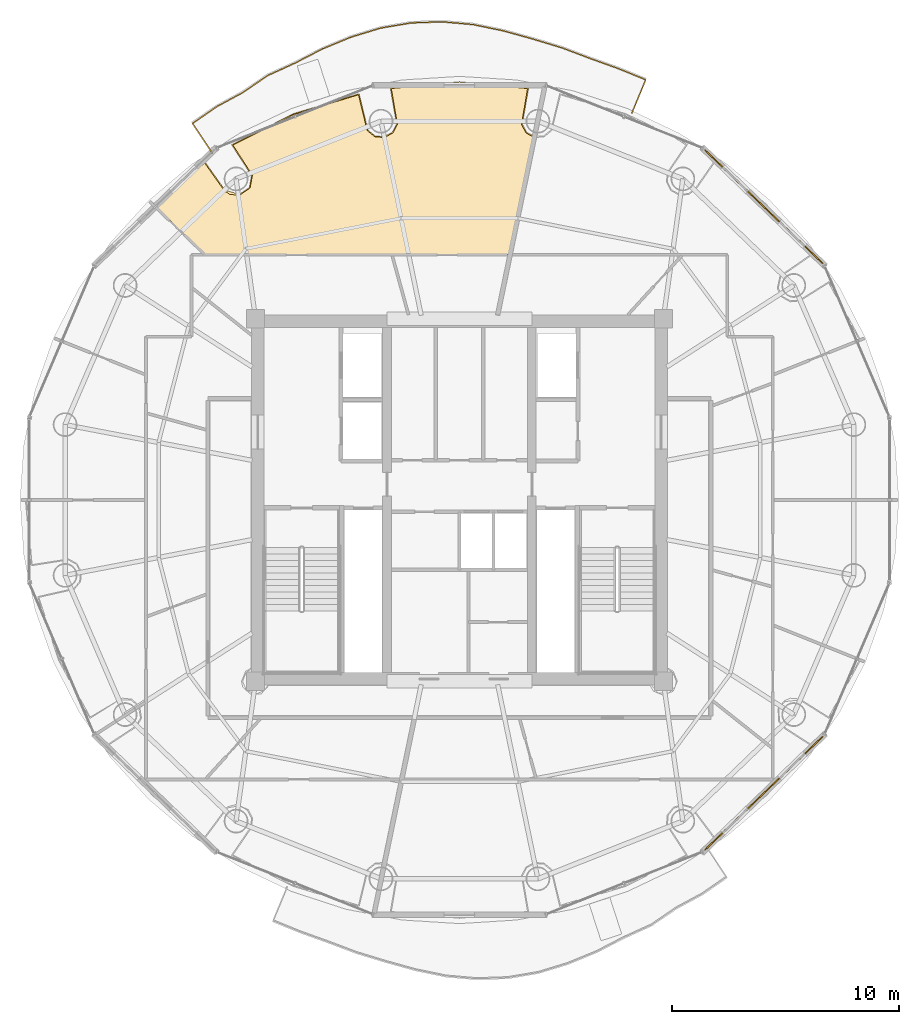
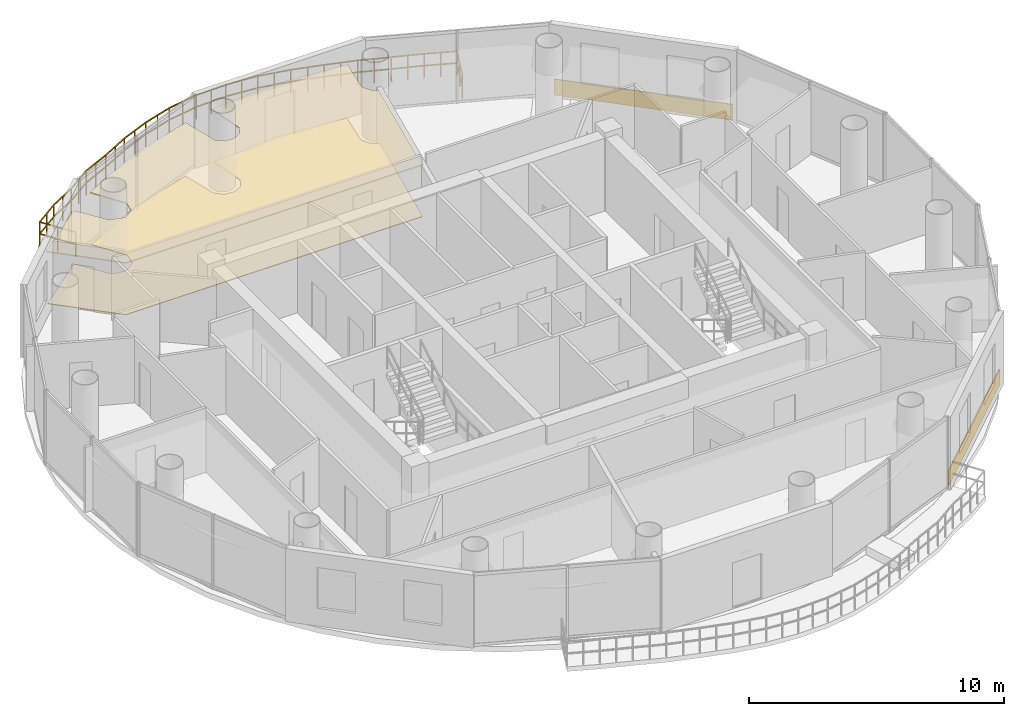
# One storey, part 21 of 21: 4 coverings, 1 railing.
"""IFC4 building model written with IfcOpenShell, lengths in metres."""

from ifc_helpers import new_model, si_unit, direction, frame, origin, origin_2d, place, context, subcontext, project, spatial, polyline, rectangle, outline, extrude, source, transform, mapped, material, layer, layer_set, type_object, element, save


model = new_model("IFC4")

# Units and contexts
model_context = context("Model", 3, precision=1e-05, world=origin(), true_north=direction((-0.2419218956, 0.970295726276)))
body_context = subcontext(model_context, "Body", "Model", "MODEL_VIEW")
ifc_project = project(units=[si_unit("LENGTHUNIT", "METRE"), si_unit("AREAUNIT", "SQUARE_METRE"), si_unit("VOLUMEUNIT", "CUBIC_METRE"), si_unit("PLANEANGLEUNIT", "RADIAN"), si_unit("MASSUNIT", "GRAM", prefix="KILO")], contexts=[model_context])

# Site, building, storey
site_placement = place(None, origin())
site = spatial("IfcSite", under=ifc_project, at=site_placement, CompositionType="ELEMENT")
building_placement = place(site_placement, origin())
building = spatial("IfcBuilding", under=site, at=building_placement, Name="Cobrevalo Terracotta Tower", CompositionType="ELEMENT")
storey_placement = place(building_placement, frame((0.0, 0.0, 281.949951171875)))
storey = spatial("IfcBuildingStorey", under=building, at=storey_placement, Name="L74", CompositionType="ELEMENT", Elevation=281.949951171875)

# Railing
ifc_material_1 = material(Name="Laminated structural glass and stainless steel", Category="steel")
railing_type = type_object("IfcRailingType", Name="Balcony lobe structural glass & terracotta-cap balustrade 1180 mm", PredefinedType="BALUSTRADE", material=ifc_material_1)
railing_placement = place(storey_placement, frame((45.6162109375, 43.885498046875, 0.0)))
element("IfcRailing", 1, at=railing_placement, inside=storey, type_object=railing_type, Name="L74 spiralling balcony lobe balustrade 1", PredefinedType="BALUSTRADE", context=body_context, shape_type="SweptSolid", body=[
    extrude(rectangle(XDim=0.048095703125, YDim=0.048095703125, at=origin_2d()), frame((0.0, 0.0, 1.15576171875), z_axis=(0.38286781202, 0.923803138401, 0.0), x_axis=(-0.923803138401, 0.38286781202, 0.0)), (0.0, 0.0, 1.0), 1.587890625),
    extrude(rectangle(XDim=0.048095703125, YDim=0.048095703125, at=origin_2d()), frame((0.0, 0.0, 0.58984375), z_axis=(0.38286781202, 0.923803138401, 0.0), x_axis=(-0.923803138401, 0.38286781202, 0.0)), (0.0, 0.0, 1.0), 1.587890625),
    extrude(rectangle(XDim=0.048095703125, YDim=0.048095703125, at=origin_2d()), frame((0.60791015625, 1.466796875, 1.15576171875), z_axis=(-0.926232432791, 0.376952888894, 0.0), x_axis=(-0.376952888894, -0.926232432791, 0.0)), (0.0, 0.0, 1.0), 1.3076171875),
    extrude(rectangle(XDim=0.048095703125, YDim=0.048095703125, at=origin_2d()), frame((0.60791015625, 1.466796875, 0.58984375), z_axis=(-0.926232432791, 0.376952888894, 0.0), x_axis=(-0.376952888894, -0.926232432791, 0.0)), (0.0, 0.0, 1.0), 1.3076171875),
    extrude(rectangle(XDim=0.048095703125, YDim=0.048095703125, at=origin_2d()), frame((-0.603271484375, 1.959716796875, 1.15576171875), z_axis=(-0.941008163355, 0.33838385969, 0.0), x_axis=(-0.33838385969, -0.941008163355, 0.0)), (0.0, 0.0, 1.0), 1.313720703125),
    extrude(rectangle(XDim=0.048095703125, YDim=0.048095703125, at=origin_2d()), frame((-0.603271484375, 1.959716796875, 0.58984375), z_axis=(-0.941008163355, 0.33838385969, 0.0), x_axis=(-0.33838385969, -0.941008163355, 0.0)), (0.0, 0.0, 1.0), 1.313720703125),
    extrude(rectangle(XDim=0.048095703125, YDim=0.048095703125, at=origin_2d()), frame((-1.839599609375, 2.404296875, 1.15576171875), z_axis=(-0.935753961781, 0.352653545298, 0.0), x_axis=(-0.352653545298, -0.935753961781, 0.0)), (0.0, 0.0, 1.0), 1.32861328125),
    extrude(rectangle(XDim=0.048095703125, YDim=0.048095703125, at=origin_2d()), frame((-1.839599609375, 2.404296875, 0.58984375), z_axis=(-0.935753961781, 0.352653545298, 0.0), x_axis=(-0.352653545298, -0.935753961781, 0.0)), (0.0, 0.0, 1.0), 1.32861328125),
    extrude(rectangle(XDim=0.048095703125, YDim=0.048095703125, at=origin_2d()), frame((-3.082763671875, 2.872802734375, 1.15576171875), z_axis=(-0.956797347346, 0.290755629544, 0.0), x_axis=(-0.290755629544, -0.956797347346, 0.0)), (0.0, 0.0, 1.0), 1.340087890625),
    extrude(rectangle(XDim=0.048095703125, YDim=0.048095703125, at=origin_2d()), frame((-3.082763671875, 2.872802734375, 0.58984375), z_axis=(-0.956797347346, 0.290755629544, 0.0), x_axis=(-0.290755629544, -0.956797347346, 0.0)), (0.0, 0.0, 1.0), 1.340087890625),
    extrude(rectangle(XDim=0.048095703125, YDim=0.048095703125, at=origin_2d()), frame((-4.364990234375, 3.262451171875, 1.15576171875), z_axis=(-0.963574612955, 0.267439647899, 0.0), x_axis=(-0.267439647899, -0.963574612955, 0.0)), (0.0, 0.0, 1.0), 1.3564453125),
    extrude(rectangle(XDim=0.048095703125, YDim=0.048095703125, at=origin_2d()), frame((-4.364990234375, 3.262451171875, 0.58984375), z_axis=(-0.963574612955, 0.267439647899, 0.0), x_axis=(-0.267439647899, -0.963574612955, 0.0)), (0.0, 0.0, 1.0), 1.3564453125),
    extrude(rectangle(XDim=0.048095703125, YDim=0.048095703125, at=origin_2d()), frame((-5.672119140625, 3.625244140625, 1.15576171875), z_axis=(-0.979165256392, 0.203065015879, 0.0), x_axis=(-0.203065015879, -0.979165256392, 0.0)), (0.0, 0.0, 1.0), 1.37060546875),
    extrude(rectangle(XDim=0.048095703125, YDim=0.048095703125, at=origin_2d()), frame((-5.672119140625, 3.625244140625, 0.58984375), z_axis=(-0.979165256392, 0.203065015879, 0.0), x_axis=(-0.203065015879, -0.979165256392, 0.0)), (0.0, 0.0, 1.0), 1.37060546875),
    extrude(rectangle(XDim=0.048095703125, YDim=0.048095703125, at=origin_2d()), frame((-7.01416015625, 3.903564453125, 1.15576171875), z_axis=(-0.996096717606, 0.088268506125, 0.0), x_axis=(-0.088268506125, -0.996096717606, 0.0)), (0.0, 0.0, 1.0), 1.369140625),
    extrude(rectangle(XDim=0.048095703125, YDim=0.048095703125, at=origin_2d()), frame((-7.01416015625, 3.903564453125, 0.58984375), z_axis=(-0.996096717606, 0.088268506125, 0.0), x_axis=(-0.088268506125, -0.996096717606, 0.0)), (0.0, 0.0, 1.0), 1.369140625),
    extrude(rectangle(XDim=0.048095703125, YDim=0.048095703125, at=origin_2d()), frame((-8.3779296875, 4.0244140625, 1.15576171875), z_axis=(-0.999397299366, -0.034713657531, 0.0), x_axis=(0.034713657531, -0.999397299366, 0.0)), (0.0, 0.0, 1.0), 1.371337890625),
    extrude(rectangle(XDim=0.048095703125, YDim=0.048095703125, at=origin_2d()), frame((-8.3779296875, 4.0244140625, 0.58984375), z_axis=(-0.999397299366, -0.034713657531, 0.0), x_axis=(0.034713657531, -0.999397299366, 0.0)), (0.0, 0.0, 1.0), 1.371337890625),
    extrude(rectangle(XDim=0.048095703125, YDim=0.048095703125, at=origin_2d()), frame((-9.74853515625, 3.976806640625, 1.15576171875), z_axis=(-0.985961463582, -0.166973028752, 0.0), x_axis=(0.166973028752, -0.985961463582, 0.0)), (0.0, 0.0, 1.0), 1.36865234375),
    extrude(rectangle(XDim=0.048095703125, YDim=0.048095703125, at=origin_2d()), frame((-9.74853515625, 3.976806640625, 0.58984375), z_axis=(-0.985961463582, -0.166973028752, 0.0), x_axis=(0.166973028752, -0.985961463582, 0.0)), (0.0, 0.0, 1.0), 1.36865234375),
    extrude(rectangle(XDim=0.048095703125, YDim=0.048095703125, at=origin_2d()), frame((-11.097900390625, 3.748291015625, 1.15576171875), z_axis=(-0.956258921541, -0.292521580356, 0.0), x_axis=(0.292521580356, -0.956258921541, 0.0)), (0.0, 0.0, 1.0), 1.371337890625),
    extrude(rectangle(XDim=0.048095703125, YDim=0.048095703125, at=origin_2d()), frame((-11.097900390625, 3.748291015625, 0.58984375), z_axis=(-0.956258921541, -0.292521580356, 0.0), x_axis=(0.292521580356, -0.956258921541, 0.0)), (0.0, 0.0, 1.0), 1.371337890625),
    extrude(rectangle(XDim=0.048095703125, YDim=0.048095703125, at=origin_2d()), frame((-12.4091796875, 3.34716796875, 1.15576171875), z_axis=(-0.924369923344, -0.381497371967, 0.0), x_axis=(0.381497371967, -0.924369923344, 0.0)), (0.0, 0.0, 1.0), 1.363037109375),
    extrude(rectangle(XDim=0.048095703125, YDim=0.048095703125, at=origin_2d()), frame((-12.4091796875, 3.34716796875, 0.58984375), z_axis=(-0.924369923344, -0.381497371967, 0.0), x_axis=(0.381497371967, -0.924369923344, 0.0)), (0.0, 0.0, 1.0), 1.363037109375),
    extrude(rectangle(XDim=0.048095703125, YDim=0.048095703125, at=origin_2d()), frame((-13.669189453125, 2.8271484375, 1.15576171875), z_axis=(-0.888149244572, -0.459555132021, 0.0), x_axis=(0.459555132021, -0.888149244572, 0.0)), (0.0, 0.0, 1.0), 1.356201171875),
    extrude(rectangle(XDim=0.048095703125, YDim=0.048095703125, at=origin_2d()), frame((-13.669189453125, 2.8271484375, 0.58984375), z_axis=(-0.888149244572, -0.459555132021, 0.0), x_axis=(0.459555132021, -0.888149244572, 0.0)), (0.0, 0.0, 1.0), 1.356201171875),
    extrude(rectangle(XDim=0.048095703125, YDim=0.048095703125, at=origin_2d()), frame((-14.873779296875, 2.203857421875, 1.15576171875), z_axis=(-0.910070017965, -0.414454535987, 0.0), x_axis=(0.414454535987, -0.910070017965, 0.0)), (0.0, 0.0, 1.0), 1.32666015625),
    extrude(rectangle(XDim=0.048095703125, YDim=0.048095703125, at=origin_2d()), frame((-14.873779296875, 2.203857421875, 0.58984375), z_axis=(-0.910070017965, -0.414454535987, 0.0), x_axis=(0.414454535987, -0.910070017965, 0.0)), (0.0, 0.0, 1.0), 1.32666015625),
    extrude(rectangle(XDim=0.048095703125, YDim=0.048095703125, at=origin_2d()), frame((-16.0810546875, 1.654052734375, 1.15576171875), z_axis=(-0.825545149986, -0.564336074813, 0.0), x_axis=(0.564336074813, -0.825545149986, 0.0)), (0.0, 0.0, 1.0), 1.333740234375),
    extrude(rectangle(XDim=0.048095703125, YDim=0.048095703125, at=origin_2d()), frame((-16.0810546875, 1.654052734375, 0.58984375), z_axis=(-0.825545149986, -0.564336074813, 0.0), x_axis=(0.564336074813, -0.825545149986, 0.0)), (0.0, 0.0, 1.0), 1.333740234375),
    extrude(rectangle(XDim=0.048095703125, YDim=0.048095703125, at=origin_2d()), frame((-17.18212890625, 0.9013671875, 1.15576171875), z_axis=(-0.879676899664, -0.475571816024, 0.0), x_axis=(0.475571816024, -0.879676899664, 0.0)), (0.0, 0.0, 1.0), 1.304931640625),
    extrude(rectangle(XDim=0.048095703125, YDim=0.048095703125, at=origin_2d()), frame((-17.18212890625, 0.9013671875, 0.58984375), z_axis=(-0.879676899664, -0.475571816024, 0.0), x_axis=(0.475571816024, -0.879676899664, 0.0)), (0.0, 0.0, 1.0), 1.304931640625),
    extrude(rectangle(XDim=0.048095703125, YDim=0.048095703125, at=origin_2d()), frame((-18.330078125, 0.28076171875, 1.15576171875), z_axis=(-0.821881755695, -0.569658125243, 0.0), x_axis=(0.569658125243, -0.821881755695, 0.0)), (0.0, 0.0, 1.0), 1.302978515625),
    extrude(rectangle(XDim=0.048095703125, YDim=0.048095703125, at=origin_2d()), frame((-18.330078125, 0.28076171875, 0.58984375), z_axis=(-0.821881755695, -0.569658125243, 0.0), x_axis=(0.569658125243, -0.821881755695, 0.0)), (0.0, 0.0, 1.0), 1.302978515625),
    extrude(rectangle(XDim=0.048095703125, YDim=0.048095703125, at=origin_2d()), frame((-19.40087890625, -0.46142578125, 1.15576171875), z_axis=(0.552272983992, -0.833663332019, 0.0), x_axis=(0.833663332019, 0.552272983992, 0.0)), (0.0, 0.0, 1.0), 1.579833984375),
    extrude(rectangle(XDim=0.048095703125, YDim=0.048095703125, at=origin_2d()), frame((-19.40087890625, -0.46142578125, 0.58984375), z_axis=(0.552272983992, -0.833663332019, 0.0), x_axis=(0.833663332019, 0.552272983992, 0.0)), (0.0, 0.0, 1.0), 1.579833984375),
    extrude(rectangle(XDim=0.0419921875, YDim=0.0419921875, at=origin_2d()), origin(), (0.0, 0.0, 1.0), 1.1318359375),
    extrude(rectangle(XDim=0.0419921875, YDim=0.0419921875, at=origin_2d()), frame((0.303955078125, 0.7333984375, 0.0)), (0.0, 0.0, 1.0), 1.1318359375),
    extrude(rectangle(XDim=0.0419921875, YDim=0.0419921875, at=origin_2d()), frame((0.60791015625, 1.466796875, 0.0)), (0.0, 0.0, 1.0), 1.1318359375),
    extrude(rectangle(XDim=0.0419921875, YDim=0.0419921875, at=origin_2d()), frame((0.00244140625, 1.71337890625, 0.0)), (0.0, 0.0, 1.0), 1.1318359375),
    extrude(rectangle(XDim=0.0419921875, YDim=0.0419921875, at=origin_2d()), frame((-0.603271484375, 1.959716796875, 0.0)), (0.0, 0.0, 1.0), 1.1318359375),
    extrude(rectangle(XDim=0.0419921875, YDim=0.0419921875, at=origin_2d()), frame((-1.221435546875, 2.18212890625, 0.0)), (0.0, 0.0, 1.0), 1.1318359375),
    extrude(rectangle(XDim=0.0419921875, YDim=0.0419921875, at=origin_2d()), frame((-1.839599609375, 2.404296875, 0.0)), (0.0, 0.0, 1.0), 1.1318359375),
    extrude(rectangle(XDim=0.0419921875, YDim=0.0419921875, at=origin_2d()), frame((-2.461181640625, 2.638671875, 0.0)), (0.0, 0.0, 1.0), 1.1318359375),
    extrude(rectangle(XDim=0.0419921875, YDim=0.0419921875, at=origin_2d()), frame((-3.082763671875, 2.872802734375, 0.0)), (0.0, 0.0, 1.0), 1.1318359375),
    extrude(rectangle(XDim=0.0419921875, YDim=0.0419921875, at=origin_2d()), frame((-3.723876953125, 3.067626953125, 0.0)), (0.0, 0.0, 1.0), 1.1318359375),
    extrude(rectangle(XDim=0.0419921875, YDim=0.0419921875, at=origin_2d()), frame((-4.364990234375, 3.262451171875, 0.0)), (0.0, 0.0, 1.0), 1.1318359375),
    extrude(rectangle(XDim=0.0419921875, YDim=0.0419921875, at=origin_2d()), frame((-5.0185546875, 3.44384765625, 0.0)), (0.0, 0.0, 1.0), 1.1318359375),
    extrude(rectangle(XDim=0.0419921875, YDim=0.0419921875, at=origin_2d()), frame((-5.672119140625, 3.625244140625, 0.0)), (0.0, 0.0, 1.0), 1.1318359375),
    extrude(rectangle(XDim=0.0419921875, YDim=0.0419921875, at=origin_2d()), frame((-6.34326171875, 3.764404296875, 0.0)), (0.0, 0.0, 1.0), 1.1318359375),
    extrude(rectangle(XDim=0.0419921875, YDim=0.0419921875, at=origin_2d()), frame((-7.01416015625, 3.903564453125, 0.0)), (0.0, 0.0, 1.0), 1.1318359375),
    extrude(rectangle(XDim=0.0419921875, YDim=0.0419921875, at=origin_2d()), frame((-7.696044921875, 3.9638671875, 0.0)), (0.0, 0.0, 1.0), 1.1318359375),
    extrude(rectangle(XDim=0.0419921875, YDim=0.0419921875, at=origin_2d()), frame((-8.3779296875, 4.0244140625, 0.0)), (0.0, 0.0, 1.0), 1.1318359375),
    extrude(rectangle(XDim=0.0419921875, YDim=0.0419921875, at=origin_2d()), frame((-9.063232421875, 4.00048828125, 0.0)), (0.0, 0.0, 1.0), 1.1318359375),
    extrude(rectangle(XDim=0.0419921875, YDim=0.0419921875, at=origin_2d()), frame((-9.74853515625, 3.976806640625, 0.0)), (0.0, 0.0, 1.0), 1.1318359375),
    extrude(rectangle(XDim=0.0419921875, YDim=0.0419921875, at=origin_2d()), frame((-10.42333984375, 3.862548828125, 0.0)), (0.0, 0.0, 1.0), 1.1318359375),
    extrude(rectangle(XDim=0.0419921875, YDim=0.0419921875, at=origin_2d()), frame((-11.097900390625, 3.748291015625, 0.0)), (0.0, 0.0, 1.0), 1.1318359375),
    extrude(rectangle(XDim=0.0419921875, YDim=0.0419921875, at=origin_2d()), frame((-11.75341796875, 3.5478515625, 0.0)), (0.0, 0.0, 1.0), 1.1318359375),
    extrude(rectangle(XDim=0.0419921875, YDim=0.0419921875, at=origin_2d()), frame((-12.4091796875, 3.34716796875, 0.0)), (0.0, 0.0, 1.0), 1.1318359375),
    extrude(rectangle(XDim=0.0419921875, YDim=0.0419921875, at=origin_2d()), frame((-13.0390625, 3.087158203125, 0.0)), (0.0, 0.0, 1.0), 1.1318359375),
    extrude(rectangle(XDim=0.0419921875, YDim=0.0419921875, at=origin_2d()), frame((-13.669189453125, 2.8271484375, 0.0)), (0.0, 0.0, 1.0), 1.1318359375),
    extrude(rectangle(XDim=0.0419921875, YDim=0.0419921875, at=origin_2d()), frame((-14.271484375, 2.515625, 0.0)), (0.0, 0.0, 1.0), 1.1318359375),
    extrude(rectangle(XDim=0.0419921875, YDim=0.0419921875, at=origin_2d()), frame((-14.873779296875, 2.203857421875, 0.0)), (0.0, 0.0, 1.0), 1.1318359375),
    extrude(rectangle(XDim=0.0419921875, YDim=0.0419921875, at=origin_2d()), frame((-15.4775390625, 1.928955078125, 0.0)), (0.0, 0.0, 1.0), 1.1318359375),
    extrude(rectangle(XDim=0.0419921875, YDim=0.0419921875, at=origin_2d()), frame((-16.0810546875, 1.654052734375, 0.0)), (0.0, 0.0, 1.0), 1.1318359375),
    extrude(rectangle(XDim=0.0419921875, YDim=0.0419921875, at=origin_2d()), frame((-16.631591796875, 1.27783203125, 0.0)), (0.0, 0.0, 1.0), 1.1318359375),
    extrude(rectangle(XDim=0.0419921875, YDim=0.0419921875, at=origin_2d()), frame((-17.18212890625, 0.9013671875, 0.0)), (0.0, 0.0, 1.0), 1.1318359375),
    extrude(rectangle(XDim=0.0419921875, YDim=0.0419921875, at=origin_2d()), frame((-17.756103515625, 0.591064453125, 0.0)), (0.0, 0.0, 1.0), 1.1318359375),
    extrude(rectangle(XDim=0.0419921875, YDim=0.0419921875, at=origin_2d()), frame((-18.330078125, 0.28076171875, 0.0)), (0.0, 0.0, 1.0), 1.1318359375),
    extrude(rectangle(XDim=0.0419921875, YDim=0.0419921875, at=origin_2d()), frame((-18.865478515625, -0.09033203125, 0.0)), (0.0, 0.0, 1.0), 1.1318359375),
    extrude(rectangle(XDim=0.0419921875, YDim=0.0419921875, at=origin_2d()), frame((-19.40087890625, -0.46142578125, 0.0)), (0.0, 0.0, 1.0), 1.1318359375),
    extrude(rectangle(XDim=0.0419921875, YDim=0.0419921875, at=origin_2d()), frame((-18.964599609375, -1.1201171875, 0.0)), (0.0, 0.0, 1.0), 1.1318359375),
    extrude(rectangle(XDim=0.0419921875, YDim=0.0419921875, at=origin_2d()), frame((-18.5283203125, -1.778564453125, 0.0)), (0.0, 0.0, 1.0), 1.1318359375),
])

# Coverings
ifc_material_2 = material(Name="Engineered Brazilian hardwood flooring", Category="wood")
ifc_layer_1 = layer(ifc_material_2, 0.028076171875)
ifc_layer_set_1 = layer_set([ifc_layer_1], Name="Engineered Brazilian hardwood flooring")
covering_type_1 = type_object("IfcCoveringType", Name="Engineered Hardwood Suite Flooring 28", PredefinedType="FLOORING", material=ifc_layer_set_1)
covering_1_placement = place(storey_placement, origin())
element("IfcCovering", 2, at=covering_1_placement, inside=storey, type_object=covering_type_1, Name="Flat L74A Penthouse Living and Dining Room floor finish", PredefinedType="FLOORING", context=body_context, shape_type="SweptSolid", body=[
    extrude(outline(polyline([(26.756103515625, 41.668212890625), (27.625244140625, 40.443603515625), (27.8681640625, 40.28759765625), (28.296630859375, 40.25341796875), (28.761474609375, 40.576904296875), (28.861572265625, 41.134521484375), (28.00146484375, 42.4697265625), (30.682861328125, 43.817626953125), (33.54052734375, 44.68603515625), (33.925048828125, 43.1064453125), (34.25927734375, 42.83642578125), (34.687255859375, 42.797607421875), (35.064453125, 43.003173828125), (35.26416015625, 43.3837890625), (34.994140625, 44.964599609375), (38.0, 45.219970703125), (41.005859375, 44.964599609375), (40.73583984375, 43.3837890625), (40.935546875, 43.003173828125), (41.28271484375, 42.80712890625), (40.217529296875, 37.64501953125), (26.77783203125, 37.64501953125), (24.49951171875, 39.841064453125), (26.756103515625, 41.668212890625)])), origin(), (0.0, 0.0, 1.0), 0.030029296875),
])
ifc_material_3 = material(Name="Acoustic perforated gypsum ceiling", Category="gypsum")
ifc_layer_2 = layer(ifc_material_3, 0.050048828125)
ifc_layer_set_2 = layer_set([ifc_layer_2], Name="Acoustic perforated gypsum ceiling")
covering_type_2 = type_object("IfcCoveringType", Name="Perforated Acoustic Gypsum Ceiling 50", PredefinedType="CEILING", material=ifc_layer_set_2)
covering_2_placement = place(storey_placement, frame((0.0, 0.0, 2.5)))
element("IfcCovering", 3, at=covering_2_placement, inside=storey, type_object=covering_type_2, Name="Flat L74A Penthouse Living and Dining Room acoustic ceiling", PredefinedType="CEILING", context=body_context, shape_type="SweptSolid", body=[
    extrude(outline(polyline([(26.768310546875, 41.7294921875), (27.656494140625, 40.47607421875), (28.286865234375, 40.297607421875), (28.7236328125, 40.601318359375), (28.8173828125, 41.124755859375), (27.937744140625, 42.482421875), (30.666259765625, 43.859619140625), (33.575439453125, 44.738525390625), (33.96240234375, 43.1318359375), (34.2763671875, 42.87841796875), (34.677978515625, 42.842041015625), (35.0322265625, 43.034912109375), (35.2197265625, 43.39208984375), (34.94091796875, 45.000244140625), (38.0, 45.26513671875), (41.05908203125, 45.000244140625), (40.7802734375, 43.39208984375), (40.9677734375, 43.034912109375), (41.3349609375, 42.837890625), (40.254150390625, 37.60009765625), (26.759765625, 37.60009765625), (24.432373046875, 39.84326171875), (26.768310546875, 41.7294921875)])), origin(), (0.0, 0.0, 1.0), 0.050048828125),
])
ifc_material_4 = material(Name="Glazed terracotta facade cladding tile", Category="masonry")
ifc_layer_3 = layer(ifc_material_4, 0.044921875)
ifc_layer_set_3 = layer_set([ifc_layer_3], Name="Glazed terracotta facade cladding tile")
covering_type_3 = type_object("IfcCoveringType", Name="Architectural terracotta rainscreen spandrel cladding 45 mm", PredefinedType="CLADDING", material=ifc_layer_set_3)
shared_shape = source(origin(), body_context, "Body", "SweptSolid", [
    extrude(rectangle(XDim=7.222412109375, YDim=0.044921875, at=origin_2d()), origin(), (0.0, 0.0, 1.0), 0.760009765625),
])
for number, where, z_axis, x_axis, name in (
    (4, (51.43359375, 39.748046875, 0.0400390625), (0.0, 0.0, 1.0), (-0.719996603293, 0.693977586992, 0.0), "L74 terracotta spandrel cladding S02"),
    (5, (51.43359375, 13.85205078125, 0.0400390625), (0.0, 0.0, 1.0), (0.719996603293, 0.693977586992, 0.0), "L74 terracotta spandrel cladding S14"),
):
    element("IfcCovering", number, at=place(storey_placement, frame(where, z_axis=z_axis, x_axis=x_axis)), inside=storey, type_object=covering_type_3, Name=name, PredefinedType="CLADDING", context=body_context, shape_type="MappedRepresentation", body=[
        mapped(shared_shape, transform((0.0, 0.0, 0.0), scale=1.0)),
    ])

save(model, "model.ifc")
